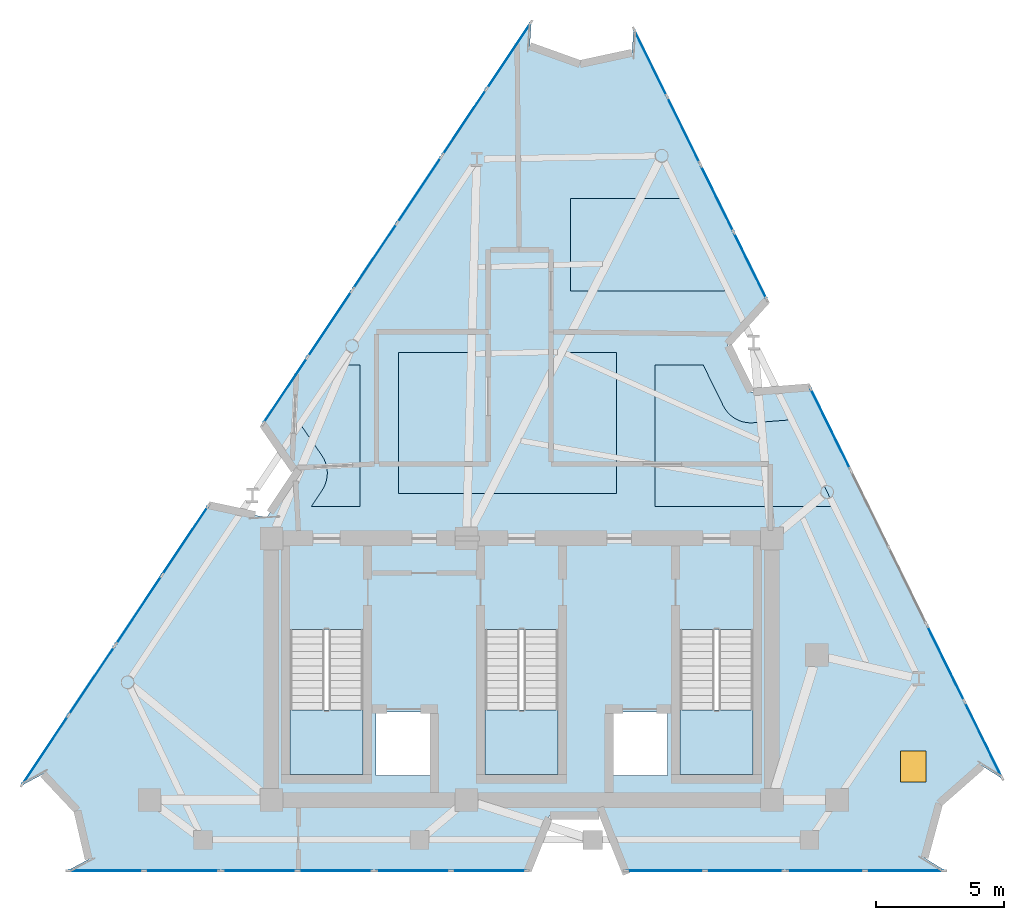
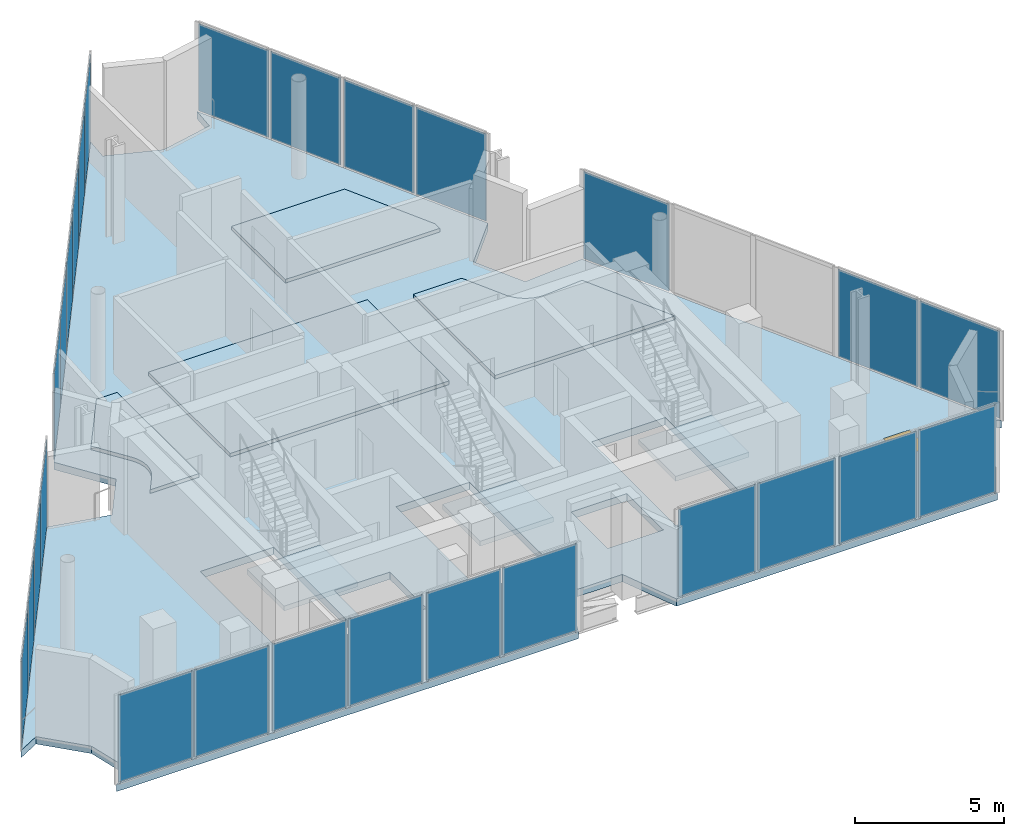
# One storey, part 5 of 9: 27 plates, 8 slabs, 1 door, 1 opening, 17 elements without a shape of their own.
"""IFC4 building model written with IfcOpenShell, lengths in metres."""

import ifcopenshell
import ifcopenshell.guid

model = None  # the IFC model being written
_history = None  # IfcOwnerHistory: only IFC2X3 demands one
_inside = {}  # id of a spatial element -> (the spatial element, [elements in it])
_under = {}  # id of a project, library or spatial element -> (it, [spatial elements below it])
_declared = {}  # id of a project -> (the project, [libraries it declares])
_typed = {}  # id of a type object -> (the type object, [elements of that type])
_made_of = {}  # id of a material, layer set ... -> (it, [elements and type objects made of it])


def new_model(schema):
    """Start an empty IFC model of exactly this schema.

    Asked for "IFC4X3", IfcOpenShell would pick the latest addendum, in which some entities
    have other attributes; the version numbers below select the first issue.
    IFC2X3 requires an IfcOwnerHistory on every rooted entity: one is made here for all.
    """
    global model, _history
    if schema == "IFC4X3":
        model = ifcopenshell.file(schema_version=(4, 3, 0, 0))
    else:
        model = ifcopenshell.file(schema=schema)
    _inside.clear()
    _under.clear()
    _declared.clear()
    _typed.clear()
    _made_of.clear()
    _history = None
    if model.schema == "IFC2X3":
        org = make("IfcOrganization", Name="unknown")
        user = make(
            "IfcPersonAndOrganization",
            ThePerson=make("IfcPerson", FamilyName="unknown"),
            TheOrganization=org,
        )
        app = make(
            "IfcApplication",
            ApplicationDeveloper=org,
            Version="unknown",
            ApplicationFullName="unknown",
            ApplicationIdentifier="unknown",
        )
        _history = make(
            "IfcOwnerHistory",
            OwningUser=user,
            OwningApplication=app,
            ChangeAction="ADDED",
            CreationDate=0,
        )
    return model


def make(cls, **values):
    """One entity of the class cls with the attributes given. An attribute that is None is left unset."""
    return model.create_entity(
        cls, **{name: value for name, value in values.items() if value is not None}
    )


def rooted(cls, **values):
    """An entity with a GlobalId (a new one), such as an element, a storey or a relation."""
    return make(cls, GlobalId=ifcopenshell.guid.new(), OwnerHistory=_history, **values)


def si_unit(unit_type, name, prefix=None):
    """IfcSIUnit, for example si_unit("LENGTHUNIT", "METRE", prefix="MILLI")."""
    return make("IfcSIUnit", UnitType=unit_type, Prefix=prefix, Name=name)


def assignment(units):
    """IfcUnitAssignment: the units of a project."""
    return None if units is None else make("IfcUnitAssignment", Units=units)


def point(xyz):
    """IfcCartesianPoint."""
    return None if xyz is None else make("IfcCartesianPoint", Coordinates=xyz)


def direction(xyz):
    """IfcDirection."""
    return None if xyz is None else make("IfcDirection", DirectionRatios=xyz)


def frame(location, z_axis=None, x_axis=None):
    """IfcAxis2Placement3D, a coordinate frame: its origin and axes. An axis left out is left unset."""
    return make(
        "IfcAxis2Placement3D",
        Location=point(location),
        Axis=direction(z_axis),
        RefDirection=direction(x_axis),
    )


def frame_2d(location, x_axis=None):
    """IfcAxis2Placement2D, a coordinate frame in the plane: its origin and x axis."""
    return make(
        "IfcAxis2Placement2D", Location=point(location), RefDirection=direction(x_axis)
    )


def origin():
    """The frame at (0, 0, 0) with its axes left unset."""
    return frame((0.0, 0.0, 0.0))


def origin_2d():
    """The frame at (0, 0) in the plane with its x axis left unset."""
    return frame_2d((0.0, 0.0))


def place(relative_to, where):
    """IfcLocalPlacement: puts the frame where relative to a parent placement (None: the world)."""
    return make(
        "IfcLocalPlacement", PlacementRelTo=relative_to, RelativePlacement=where
    )


def context(
    kind, dimensions, precision=None, world=None, true_north=None, identifier=None
):
    """IfcGeometricRepresentationContext, for example the 3D "Model" context."""
    return make(
        "IfcGeometricRepresentationContext",
        ContextIdentifier=identifier,
        ContextType=kind,
        CoordinateSpaceDimension=dimensions,
        Precision=precision,
        WorldCoordinateSystem=world,
        TrueNorth=true_north,
    )


def subcontext(parent, identifier, kind, view, scale=None):
    """IfcGeometricRepresentationSubContext, for example "Body" below "Model"."""
    return make(
        "IfcGeometricRepresentationSubContext",
        ContextIdentifier=identifier,
        ContextType=kind,
        ParentContext=parent,
        TargetScale=scale,
        TargetView=view,
    )


def project(units=None, contexts=None):
    """IfcProject with its units and contexts."""
    return rooted(
        "IfcProject",
        Name="project",
        RepresentationContexts=contexts,
        UnitsInContext=assignment(units),
    )


def spatial(cls, under=None, at=None, **own):
    """A site, building, storey or space (cls), placed at a placement, below another one or the project."""
    s = rooted(cls, ObjectPlacement=at, **own)
    if under is not None:
        _under.setdefault(under.id(), (under, []))[1].append(s)
    return s


def polyline(points):
    """IfcPolyline through the points."""
    return make("IfcPolyline", Points=[point(p) for p in points])


def profile(cls, at=None, kind="AREA", **sizes):
    """A parametric profile (cls). Its sizes go by their IFC names, for example OverallWidth=200.0."""
    return make(cls, ProfileType=kind, Position=at, **sizes)


def rectangle(**sizes):
    """IfcRectangleProfileDef."""
    return profile("IfcRectangleProfileDef", **sizes)


def outline(outer, holes=None, kind="AREA"):
    """IfcArbitraryClosedProfileDef: a profile drawn as a closed curve; with holes, ...WithVoids."""
    if holes is None:
        return make("IfcArbitraryClosedProfileDef", ProfileType=kind, OuterCurve=outer)
    return make(
        "IfcArbitraryProfileDefWithVoids",
        ProfileType=kind,
        OuterCurve=outer,
        InnerCurves=holes,
    )


def extrude(swept, where, along, depth):
    """IfcExtrudedAreaSolid: the profile swept, set in the frame where, extruded along a direction by depth."""
    return make(
        "IfcExtrudedAreaSolid",
        SweptArea=swept,
        Position=where,
        ExtrudedDirection=direction(along),
        Depth=depth,
    )


def shape(context_of_items, identifier, shape_type, items):
    """IfcShapeRepresentation: the items that make up one representation, for example the "Body"."""
    return make(
        "IfcShapeRepresentation",
        ContextOfItems=context_of_items,
        RepresentationIdentifier=identifier,
        RepresentationType=shape_type,
        Items=items,
    )


def material(Name=None, Category=None):
    """IfcMaterial."""
    return make("IfcMaterial", Name=Name, Category=Category)


def layer(
    of_material, thickness, ventilated=None, Name=None, Category=None, Priority=None
):
    """IfcMaterialLayer: one layer of a wall or slab, of a material (None: an air gap)."""
    return make(
        "IfcMaterialLayer",
        Material=of_material,
        LayerThickness=thickness,
        IsVentilated=ventilated,
        Name=Name,
        Category=Category,
        Priority=Priority,
    )


def layer_set(layers, Name=None):
    """IfcMaterialLayerSet."""
    return make("IfcMaterialLayerSet", MaterialLayers=layers, LayerSetName=Name)


def made_of(thing, what):
    """Note that an element or type object is made of a material, layer set ...; save() writes the relation."""
    if what is not None:
        _made_of.setdefault(what.id(), (what, []))[1].append(thing)
    return thing


def type_object(cls, material=None, **own):
    """A type object (cls), such as IfcWallType, which elements share."""
    return made_of(rooted(cls, **own), material)


def element(
    cls,
    number,
    at=None,
    inside=None,
    cuts=None,
    type_object=None,
    material=None,
    context=None,
    identifier="Body",
    shape_type=None,
    held_by="IfcProductDefinitionShape",
    body=None,
    shapes=None,
    **own,
):
    """One element of the class cls, such as IfcWall. Its Tag is "e" and its number.

    at: its placement. inside: the storey or other place that contains it. cuts: it is an
    opening in that element (IfcRelVoidsElement). A single representation is given by context,
    identifier, shape_type and body (its items); several are given by shapes. held_by: the class
    of the entity that holds the representations. save() writes the other relations.
    """
    e = rooted(cls, Tag="e%d" % number, ObjectPlacement=at, **own)
    if body is not None:
        shapes = [shape(context, identifier, shape_type, body)]
    if shapes is not None:
        e.Representation = make(held_by, Representations=shapes)
    if inside is not None:
        _inside.setdefault(inside.id(), (inside, []))[1].append(e)
    if cuts is not None:
        rooted(
            "IfcRelVoidsElement", RelatingBuildingElement=cuts, RelatedOpeningElement=e
        )
    if type_object is not None:
        _typed.setdefault(type_object.id(), (type_object, []))[1].append(e)
    return made_of(e, material)


def fill(opening, filler):
    """IfcRelFillsElement: the door or window that sits in an opening."""
    return rooted(
        "IfcRelFillsElement",
        RelatingOpeningElement=opening,
        RelatedBuildingElement=filler,
    )


def aggregate(whole, parts):
    """IfcRelAggregates: a whole, such as a stair, and the parts it consists of."""
    return rooted("IfcRelAggregates", RelatingObject=whole, RelatedObjects=parts)


def save(model, path):
    """Write the relations noted so far, then the file.

    IfcRelAggregates (storeys below a building ...), IfcRelContainedInSpatialStructure (elements
    in a storey), IfcRelDefinesByType, IfcRelAssociatesMaterial and IfcRelDeclares: one each for
    every whole, place, type object, material and project.
    """
    for whole, parts in _under.values():
        aggregate(whole, parts)
    for where, things in _inside.values():
        rooted(
            "IfcRelContainedInSpatialStructure",
            RelatedElements=things,
            RelatingStructure=where,
        )
    for kind, things in _typed.values():
        rooted("IfcRelDefinesByType", RelatedObjects=things, RelatingType=kind)
    for what, things in _made_of.values():
        rooted("IfcRelAssociatesMaterial", RelatedObjects=things, RelatingMaterial=what)
    for by, libraries in _declared.values():
        rooted("IfcRelDeclares", RelatingContext=by, RelatedDefinitions=libraries)
    model.write(path)


model = new_model("IFC4")

# Units and contexts
model_context = context("Model", 3, precision=1e-05, world=origin(), true_north=direction((0.0, 1.0)))
body_context = subcontext(model_context, "Body", "Model", "MODEL_VIEW")
ifc_project = project(units=[si_unit("LENGTHUNIT", "METRE"), si_unit("AREAUNIT", "SQUARE_METRE"), si_unit("VOLUMEUNIT", "CUBIC_METRE"), si_unit("PLANEANGLEUNIT", "RADIAN"), si_unit("MASSUNIT", "GRAM", prefix="KILO")], contexts=[model_context])

# Site, building, storey
site_placement = place(None, origin())
site = spatial("IfcSite", under=ifc_project, at=site_placement, CompositionType="ELEMENT")
building_placement = place(site_placement, origin())
building = spatial("IfcBuilding", under=site, at=building_placement, Name="Almagre Mirador Tower", CompositionType="ELEMENT")
storey_placement = place(building_placement, frame((0.0, 0.0, 302.5)))
storey = spatial("IfcBuildingStorey", under=building, at=storey_placement, Name="L78", CompositionType="ELEMENT", Elevation=302.5)

# Curtain wall, plates
ifc_material_1 = material(Name="Black anodized aluminium", Category="aluminium")
ifc_layer_1 = layer(ifc_material_1, 0.2099609375)
ifc_layer_set_1 = layer_set([ifc_layer_1], Name="Black anodized aluminium")
curtain_wall_type = type_object("IfcCurtainWallType", Name="CW-CRN-SYS", PredefinedType="NOTDEFINED", material=ifc_layer_set_1)
curtain_wall_1_placement = place(storey_placement, origin())
curtain_wall_1 = element("IfcCurtainWall", 1, at=curtain_wall_1_placement, inside=storey, type_object=curtain_wall_type, Name="L78 curtain wall run 01", PredefinedType="NOTDEFINED")
ifc_material_2 = material(Name="Dark solar-control laminated hurricane glass", Category="glass")
ifc_layer_2 = layer(ifc_material_2, 0.030029296875)
ifc_layer_set_2 = layer_set([ifc_layer_2], Name="Dark solar-control laminated hurricane glass")
plate_type = type_object("IfcPlateType", Name="PLT-SPN-30", PredefinedType="CURTAIN_PANEL", material=ifc_layer_set_2)
plate_1_placement = place(storey_placement, frame((18.741455078125, 6.505859375, 0.06494140625), z_axis=(0.0, 0.0, 1.0), x_axis=(0.555213664845, 0.831707752982, 0.0)))
plate_1 = element("IfcPlate", 2, at=plate_1_placement, type_object=plate_type, Name="CW-6 panel 1.1", PredefinedType="CURTAIN_PANEL", context=body_context, shape_type="SweptSolid", body=[
    extrude(rectangle(XDim=3.17529296875, YDim=0.030029296875, at=origin_2d()), origin(), (0.0, 0.0, 1.0), 3.570068359375),
])
plate_2_placement = place(storey_placement, frame((20.543212890625, 9.204833984375, 0.06494140625), z_axis=(0.0, 0.0, 1.0), x_axis=(0.555213664845, 0.831707752982, 0.0)))
plate_2 = element("IfcPlate", 3, at=plate_2_placement, type_object=plate_type, Name="CW-6 panel 2.1", PredefinedType="CURTAIN_PANEL", context=body_context, shape_type="SweptSolid", body=[
    extrude(rectangle(XDim=3.17529296875, YDim=0.030029296875, at=origin_2d()), origin(), (0.0, 0.0, 1.0), 3.570068359375),
])
aggregate(curtain_wall_1, [plate_1, plate_2])

curtain_wall_2_placement = place(storey_placement, origin())
curtain_wall_2 = element("IfcCurtainWall", 4, at=curtain_wall_2_placement, inside=storey, type_object=curtain_wall_type, Name="L78 curtain wall run 02", PredefinedType="NOTDEFINED")
plate_3_placement = place(storey_placement, frame((22.3837890625, 11.962158203125, 0.06494140625), z_axis=(0.0, 0.0, 1.0), x_axis=(0.555213664845, 0.831707752982, 0.0)))
plate_3 = element("IfcPlate", 5, at=plate_3_placement, type_object=plate_type, Name="CW-6 panel 1.1", PredefinedType="CURTAIN_PANEL", context=body_context, shape_type="SweptSolid", body=[
    extrude(rectangle(XDim=3.17529296875, YDim=0.030029296875, at=origin_2d()), origin(), (0.0, 0.0, 1.0), 3.570068359375),
])
plate_4_placement = place(storey_placement, frame((24.185546875, 14.6611328125, 0.06494140625), z_axis=(0.0, 0.0, 1.0), x_axis=(0.555213664845, 0.831707752982, 0.0)))
plate_4 = element("IfcPlate", 6, at=plate_4_placement, type_object=plate_type, Name="CW-6 panel 2.1", PredefinedType="CURTAIN_PANEL", context=body_context, shape_type="SweptSolid", body=[
    extrude(rectangle(XDim=3.17529296875, YDim=0.030029296875, at=origin_2d()), origin(), (0.0, 0.0, 1.0), 3.570068359375),
])
aggregate(curtain_wall_2, [plate_3, plate_4])

curtain_wall_3_placement = place(storey_placement, origin())
curtain_wall_3 = element("IfcCurtainWall", 7, at=curtain_wall_3_placement, inside=storey, type_object=curtain_wall_type, Name="L78 curtain wall run 03", PredefinedType="NOTDEFINED")
plate_5_placement = place(storey_placement, frame((28.09765625, 20.521728515625, 0.06494140625), z_axis=(0.0, 0.0, 1.0), x_axis=(0.55525117654, 0.831682710504, 0.0)))
plate_5 = element("IfcPlate", 8, at=plate_5_placement, type_object=plate_type, Name="CW-6 panel 1.1", PredefinedType="CURTAIN_PANEL", context=body_context, shape_type="SweptSolid", body=[
    extrude(rectangle(XDim=3.03564453125, YDim=0.030029296875, at=origin_2d()), origin(), (0.0, 0.0, 1.0), 3.570068359375),
])
plate_6_placement = place(storey_placement, frame((29.822021484375, 23.1044921875, 0.06494140625), z_axis=(0.0, 0.0, 1.0), x_axis=(0.55525117654, 0.831682710504, 0.0)))
plate_6 = element("IfcPlate", 9, at=plate_6_placement, type_object=plate_type, Name="CW-6 panel 2.1", PredefinedType="CURTAIN_PANEL", context=body_context, shape_type="SweptSolid", body=[
    extrude(rectangle(XDim=3.03564453125, YDim=0.030029296875, at=origin_2d()), origin(), (0.0, 0.0, 1.0), 3.570068359375),
])
aggregate(curtain_wall_3, [plate_5, plate_6])

curtain_wall_4_placement = place(storey_placement, origin())
curtain_wall_4 = element("IfcCurtainWall", 10, at=curtain_wall_4_placement, inside=storey, type_object=curtain_wall_type, Name="L78 curtain wall run 04", PredefinedType="NOTDEFINED")
plate_7_placement = place(storey_placement, frame((31.585205078125, 25.74560546875, 0.06494140625), z_axis=(0.0, 0.0, 1.0), x_axis=(0.5552585287, 0.83167780198, 0.0)))
plate_7 = element("IfcPlate", 11, at=plate_7_placement, type_object=plate_type, Name="CW-6 panel 1.1", PredefinedType="CURTAIN_PANEL", context=body_context, shape_type="SweptSolid", body=[
    extrude(rectangle(XDim=3.035400390625, YDim=0.030029296875, at=origin_2d()), origin(), (0.0, 0.0, 1.0), 3.570068359375),
])
plate_8_placement = place(storey_placement, frame((33.3095703125, 28.328369140625, 0.06494140625), z_axis=(0.0, 0.0, 1.0), x_axis=(0.5552585287, 0.83167780198, 0.0)))
plate_8 = element("IfcPlate", 12, at=plate_8_placement, type_object=plate_type, Name="CW-6 panel 2.1", PredefinedType="CURTAIN_PANEL", context=body_context, shape_type="SweptSolid", body=[
    extrude(rectangle(XDim=3.035400390625, YDim=0.030029296875, at=origin_2d()), origin(), (0.0, 0.0, 1.0), 3.570068359375),
])
aggregate(curtain_wall_4, [plate_7, plate_8])

curtain_wall_5_placement = place(storey_placement, origin())
curtain_wall_5 = element("IfcCurtainWall", 13, at=curtain_wall_5_placement, inside=storey, type_object=curtain_wall_type, Name="L78 curtain wall run 05", PredefinedType="NOTDEFINED")
plate_9_placement = place(storey_placement, frame((35.072998046875, 30.969482421875, 0.06494140625), z_axis=(0.0, 0.0, 1.0), x_axis=(0.55525117654, 0.831682710504, 0.0)))
plate_9 = element("IfcPlate", 14, at=plate_9_placement, type_object=plate_type, Name="CW-6 panel 1.1", PredefinedType="CURTAIN_PANEL", context=body_context, shape_type="SweptSolid", body=[
    extrude(rectangle(XDim=3.03564453125, YDim=0.030029296875, at=origin_2d()), origin(), (0.0, 0.0, 1.0), 3.570068359375),
])
plate_10_placement = place(storey_placement, frame((36.79736328125, 33.55224609375, 0.06494140625), z_axis=(0.0, 0.0, 1.0), x_axis=(0.55525117654, 0.831682710504, 0.0)))
plate_10 = element("IfcPlate", 15, at=plate_10_placement, type_object=plate_type, Name="CW-6 panel 2.1", PredefinedType="CURTAIN_PANEL", context=body_context, shape_type="SweptSolid", body=[
    extrude(rectangle(XDim=3.03564453125, YDim=0.030029296875, at=origin_2d()), origin(), (0.0, 0.0, 1.0), 3.570068359375),
])
aggregate(curtain_wall_5, [plate_9, plate_10])

curtain_wall_6_placement = place(storey_placement, origin())
curtain_wall_6 = element("IfcCurtainWall", 16, at=curtain_wall_6_placement, inside=storey, type_object=curtain_wall_type, Name="L78 curtain wall run 06", PredefinedType="NOTDEFINED")
plate_11_placement = place(storey_placement, frame((42.322509765625, 33.274169921875, 0.06494140625), z_axis=(0.0, 0.0, 1.0), x_axis=(0.441293649286, -0.897362755579, 0.0)))
plate_11 = element("IfcPlate", 17, at=plate_11_placement, type_object=plate_type, Name="CW-6 panel 1.1", PredefinedType="CURTAIN_PANEL", context=body_context, shape_type="SweptSolid", body=[
    extrude(rectangle(XDim=2.839111328125, YDim=0.030029296875, at=origin_2d()), origin(), (0.0, 0.0, 1.0), 3.570068359375),
])
plate_12_placement = place(storey_placement, frame((43.606201171875, 30.66357421875, 0.06494140625), z_axis=(0.0, 0.0, 1.0), x_axis=(0.441293649286, -0.897362755579, 0.0)))
plate_12 = element("IfcPlate", 18, at=plate_12_placement, type_object=plate_type, Name="CW-6 panel 2.1", PredefinedType="CURTAIN_PANEL", context=body_context, shape_type="SweptSolid", body=[
    extrude(rectangle(XDim=2.839111328125, YDim=0.030029296875, at=origin_2d()), origin(), (0.0, 0.0, 1.0), 3.570068359375),
])
aggregate(curtain_wall_6, [plate_11, plate_12])

curtain_wall_7_placement = place(storey_placement, origin())
curtain_wall_7 = element("IfcCurtainWall", 19, at=curtain_wall_7_placement, inside=storey, type_object=curtain_wall_type, Name="L78 curtain wall run 07", PredefinedType="NOTDEFINED")
plate_13_placement = place(storey_placement, frame((44.9208984375, 27.990234375, 0.06494140625), z_axis=(0.0, 0.0, 1.0), x_axis=(0.441293649286, -0.897362755579, 0.0)))
plate_13 = element("IfcPlate", 20, at=plate_13_placement, type_object=plate_type, Name="CW-6 panel 1.1", PredefinedType="CURTAIN_PANEL", context=body_context, shape_type="SweptSolid", body=[
    extrude(rectangle(XDim=2.839111328125, YDim=0.030029296875, at=origin_2d()), origin(), (0.0, 0.0, 1.0), 3.570068359375),
])
plate_14_placement = place(storey_placement, frame((46.20458984375, 25.3798828125, 0.06494140625), z_axis=(0.0, 0.0, 1.0), x_axis=(0.441293649286, -0.897362755579, 0.0)))
plate_14 = element("IfcPlate", 21, at=plate_14_placement, type_object=plate_type, Name="CW-6 panel 2.1", PredefinedType="CURTAIN_PANEL", context=body_context, shape_type="SweptSolid", body=[
    extrude(rectangle(XDim=2.839111328125, YDim=0.030029296875, at=origin_2d()), origin(), (0.0, 0.0, 1.0), 3.570068359375),
])
aggregate(curtain_wall_7, [plate_13, plate_14])

# Curtain wall, plate
curtain_wall_8_placement = place(storey_placement, origin())
curtain_wall_8 = element("IfcCurtainWall", 22, at=curtain_wall_8_placement, inside=storey, type_object=curtain_wall_type, Name="L78 curtain wall run 08", PredefinedType="NOTDEFINED")
plate_15_placement = place(storey_placement, frame((49.333984375, 19.016357421875, 0.06494140625), z_axis=(0.0, 0.0, 1.0), x_axis=(0.441274584384, -0.897372130823, 0.0)))
plate_15 = element("IfcPlate", 23, at=plate_15_placement, type_object=plate_type, Name="CW-6 panel 1.1", PredefinedType="CURTAIN_PANEL", context=body_context, shape_type="SweptSolid", body=[
    extrude(rectangle(XDim=3.46240234375, YDim=0.030029296875, at=origin_2d()), origin(), (0.0, 0.0, 1.0), 3.570068359375),
])
aggregate(curtain_wall_8, [plate_15])

# Curtain wall, plates
curtain_wall_9_placement = place(storey_placement, origin())
curtain_wall_9 = element("IfcCurtainWall", 24, at=curtain_wall_9_placement, inside=storey, type_object=curtain_wall_type, Name="L78 curtain wall run 10", PredefinedType="NOTDEFINED")
plate_16_placement = place(storey_placement, frame((53.827880859375, 9.87744140625, 0.06494140625), z_axis=(0.0, 0.0, 1.0), x_axis=(0.44127448388, -0.897372180244, 0.0)))
plate_16 = element("IfcPlate", 25, at=plate_16_placement, type_object=plate_type, Name="CW-6 panel 1.1", PredefinedType="CURTAIN_PANEL", context=body_context, shape_type="SweptSolid", body=[
    extrude(rectangle(XDim=3.2412109375, YDim=0.030029296875, at=origin_2d()), origin(), (0.0, 0.0, 1.0), 3.570068359375),
])
plate_17_placement = place(storey_placement, frame((55.288818359375, 6.90625, 0.06494140625), z_axis=(0.0, 0.0, 1.0), x_axis=(0.44127448388, -0.897372180244, 0.0)))
plate_17 = element("IfcPlate", 26, at=plate_17_placement, type_object=plate_type, Name="CW-6 panel 2.1", PredefinedType="CURTAIN_PANEL", context=body_context, shape_type="SweptSolid", body=[
    extrude(rectangle(XDim=3.2412109375, YDim=0.030029296875, at=origin_2d()), origin(), (0.0, 0.0, 1.0), 3.570068359375),
])
aggregate(curtain_wall_9, [plate_16, plate_17])

curtain_wall_10_placement = place(storey_placement, origin())
curtain_wall_10 = element("IfcCurtainWall", 27, at=curtain_wall_10_placement, inside=storey, type_object=curtain_wall_type, Name="L78 curtain wall run 11", PredefinedType="NOTDEFINED")
plate_18_placement = place(storey_placement, frame((52.224365234375, 1.800048828125, 0.06494140625), z_axis=(0.0, 0.0, 1.0), x_axis=(-1.0, 0.0, 0.0)))
plate_18 = element("IfcPlate", 28, at=plate_18_placement, type_object=plate_type, Name="CW-6 panel 1.1", PredefinedType="CURTAIN_PANEL", context=body_context, shape_type="SweptSolid", body=[
    extrude(rectangle(XDim=3.010986328125, YDim=0.030029296875, at=origin_2d()), origin(), (0.0, 0.0, 1.0), 3.570068359375),
])
plate_19_placement = place(storey_placement, frame((49.1435546875, 1.800048828125, 0.06494140625), z_axis=(0.0, 0.0, 1.0), x_axis=(-1.0, 0.0, 0.0)))
plate_19 = element("IfcPlate", 29, at=plate_19_placement, type_object=plate_type, Name="CW-6 panel 2.1", PredefinedType="CURTAIN_PANEL", context=body_context, shape_type="SweptSolid", body=[
    extrude(rectangle(XDim=3.010986328125, YDim=0.030029296875, at=origin_2d()), origin(), (0.0, 0.0, 1.0), 3.570068359375),
])
aggregate(curtain_wall_10, [plate_18, plate_19])

curtain_wall_11_placement = place(storey_placement, origin())
curtain_wall_11 = element("IfcCurtainWall", 30, at=curtain_wall_11_placement, inside=storey, type_object=curtain_wall_type, Name="L78 curtain wall run 12", PredefinedType="NOTDEFINED")
plate_20_placement = place(storey_placement, frame((45.992431640625, 1.800048828125, 0.06494140625), z_axis=(0.0, 0.0, 1.0), x_axis=(-1.0, 0.0, 0.0)))
plate_20 = element("IfcPlate", 31, at=plate_20_placement, type_object=plate_type, Name="CW-6 panel 1.1", PredefinedType="CURTAIN_PANEL", context=body_context, shape_type="SweptSolid", body=[
    extrude(rectangle(XDim=3.010986328125, YDim=0.030029296875, at=origin_2d()), origin(), (0.0, 0.0, 1.0), 3.570068359375),
])
plate_21_placement = place(storey_placement, frame((42.91162109375, 1.800048828125, 0.06494140625), z_axis=(0.0, 0.0, 1.0), x_axis=(-1.0, 0.0, 0.0)))
plate_21 = element("IfcPlate", 32, at=plate_21_placement, type_object=plate_type, Name="CW-6 panel 2.1", PredefinedType="CURTAIN_PANEL", context=body_context, shape_type="SweptSolid", body=[
    extrude(rectangle(XDim=3.010986328125, YDim=0.030029296875, at=origin_2d()), origin(), (0.0, 0.0, 1.0), 3.570068359375),
])
aggregate(curtain_wall_11, [plate_20, plate_21])

curtain_wall_12_placement = place(storey_placement, origin())
curtain_wall_12 = element("IfcCurtainWall", 33, at=curtain_wall_12_placement, inside=storey, type_object=curtain_wall_type, Name="L78 curtain wall run 13", PredefinedType="NOTDEFINED")
plate_22_placement = place(storey_placement, frame((36.023681640625, 1.800048828125, 0.06494140625), z_axis=(0.0, 0.0, 1.0), x_axis=(-1.0, 0.0, 0.0)))
plate_22 = element("IfcPlate", 34, at=plate_22_placement, type_object=plate_type, Name="CW-6 panel 1.1", PredefinedType="CURTAIN_PANEL", context=body_context, shape_type="SweptSolid", body=[
    extrude(rectangle(XDim=2.88427734375, YDim=0.030029296875, at=origin_2d()), origin(), (0.0, 0.0, 1.0), 3.570068359375),
])
plate_23_placement = place(storey_placement, frame((33.0693359375, 1.800048828125, 0.06494140625), z_axis=(0.0, 0.0, 1.0), x_axis=(-1.0, 0.0, 0.0)))
plate_23 = element("IfcPlate", 35, at=plate_23_placement, type_object=plate_type, Name="CW-6 panel 2.1", PredefinedType="CURTAIN_PANEL", context=body_context, shape_type="SweptSolid", body=[
    extrude(rectangle(XDim=2.88427734375, YDim=0.030029296875, at=origin_2d()), origin(), (0.0, 0.0, 1.0), 3.570068359375),
])
aggregate(curtain_wall_12, [plate_22, plate_23])

curtain_wall_13_placement = place(storey_placement, origin())
curtain_wall_13 = element("IfcCurtainWall", 36, at=curtain_wall_13_placement, inside=storey, type_object=curtain_wall_type, Name="L78 curtain wall run 14", PredefinedType="NOTDEFINED")
plate_24_placement = place(storey_placement, frame((30.045166015625, 1.800048828125, 0.06494140625), z_axis=(0.0, 0.0, 1.0), x_axis=(-1.0, 0.0, 0.0)))
plate_24 = element("IfcPlate", 37, at=plate_24_placement, type_object=plate_type, Name="CW-6 panel 1.1", PredefinedType="CURTAIN_PANEL", context=body_context, shape_type="SweptSolid", body=[
    extrude(rectangle(XDim=2.88427734375, YDim=0.030029296875, at=origin_2d()), origin(), (0.0, 0.0, 1.0), 3.570068359375),
])
plate_25_placement = place(storey_placement, frame((27.0908203125, 1.800048828125, 0.06494140625), z_axis=(0.0, 0.0, 1.0), x_axis=(-1.0, 0.0, 0.0)))
plate_25 = element("IfcPlate", 38, at=plate_25_placement, type_object=plate_type, Name="CW-6 panel 2.1", PredefinedType="CURTAIN_PANEL", context=body_context, shape_type="SweptSolid", body=[
    extrude(rectangle(XDim=2.88427734375, YDim=0.030029296875, at=origin_2d()), origin(), (0.0, 0.0, 1.0), 3.570068359375),
])
aggregate(curtain_wall_13, [plate_24, plate_25])

curtain_wall_14_placement = place(storey_placement, origin())
curtain_wall_14 = element("IfcCurtainWall", 39, at=curtain_wall_14_placement, inside=storey, type_object=curtain_wall_type, Name="L78 curtain wall run 15", PredefinedType="NOTDEFINED")
plate_26_placement = place(storey_placement, frame((24.066650390625, 1.800048828125, 0.06494140625), z_axis=(0.0, 0.0, 1.0), x_axis=(-1.0, 0.0, 0.0)))
plate_26 = element("IfcPlate", 40, at=plate_26_placement, type_object=plate_type, Name="CW-6 panel 1.1", PredefinedType="CURTAIN_PANEL", context=body_context, shape_type="SweptSolid", body=[
    extrude(rectangle(XDim=2.88427734375, YDim=0.030029296875, at=origin_2d()), origin(), (0.0, 0.0, 1.0), 3.570068359375),
])
plate_27_placement = place(storey_placement, frame((21.1123046875, 1.800048828125, 0.06494140625), z_axis=(0.0, 0.0, 1.0), x_axis=(-1.0, 0.0, 0.0)))
plate_27 = element("IfcPlate", 41, at=plate_27_placement, type_object=plate_type, Name="CW-6 panel 2.1", PredefinedType="CURTAIN_PANEL", context=body_context, shape_type="SweptSolid", body=[
    extrude(rectangle(XDim=2.88427734375, YDim=0.030029296875, at=origin_2d()), origin(), (0.0, 0.0, 1.0), 3.570068359375),
])
aggregate(curtain_wall_14, [plate_26, plate_27])

# Slab, opening, door
ifc_material_3 = material(Name="Concrete C45/55", Category="concrete")
ifc_layer_3 = layer(ifc_material_3, 0.300048828125)
ifc_layer_set_3 = layer_set([ifc_layer_3], Name="Concrete C45/55")
slab_type_1 = type_object("IfcSlabType", Name="SLB-FLR-300", PredefinedType="FLOOR", material=ifc_layer_set_3)
slab_1_placement = place(storey_placement, frame((0.0, 0.0, -0.300048828125)))
slab_1 = element("IfcSlab", 42, at=slab_1_placement, inside=storey, type_object=slab_type_1, Name="L78 structural floor slab", PredefinedType="FLOOR", context=body_context, shape_type="SweptSolid", body=[
    extrude(outline(polyline([(17.8212890625, 5.127197265625), (18.647216796875, 5.568359375), (18.648193359375, 5.56884765625), (18.649169921875, 5.569091796875), (18.650146484375, 5.5693359375), (18.651123046875, 5.569580078125), (18.652099609375, 5.569580078125), (18.653076171875, 5.569580078125), (18.654052734375, 5.5693359375), (18.655029296875, 5.569091796875), (18.656005859375, 5.568603515625), (18.656982421875, 5.568359375), (18.65771484375, 5.567626953125), (18.658447265625, 5.567138671875), (18.6591796875, 5.56640625), (19.9892578125, 4.14990234375), (19.98974609375, 4.149169921875), (19.990478515625, 4.148193359375), (19.990966796875, 4.1474609375), (19.9912109375, 4.146484375), (19.99169921875, 4.1455078125), (20.431396484375, 2.25341796875), (20.431396484375, 2.25244140625), (20.431396484375, 2.25146484375), (20.431396484375, 2.25048828125), (20.431396484375, 2.24951171875), (20.43115234375, 2.24853515625), (20.430908203125, 2.24755859375), (20.430419921875, 2.24658203125), (20.429931640625, 2.245849609375), (20.42919921875, 2.244873046875), (20.4287109375, 2.244140625), (20.427978515625, 2.243408203125), (20.427001953125, 2.242919921875), (20.42626953125, 2.242431640625), (19.60009765625, 1.800048828125), (19.60009765625, 1.800048828125), (19.60009765625, 1.800048828125), (37.535888671875, 1.800048828125), (37.535888671875, 1.800048828125), (37.5361328125, 1.80029296875), (38.388427734375, 3.943603515625), (38.388916015625, 3.944580078125), (38.389404296875, 3.945556640625), (38.389892578125, 3.9462890625), (38.390625, 3.947021484375), (38.391357421875, 3.94775390625), (38.39208984375, 3.9482421875), (38.39306640625, 3.94873046875), (38.393798828125, 3.94921875), (38.394775390625, 3.94970703125), (38.395751953125, 3.94970703125), (38.396728515625, 3.949951171875), (38.397705078125, 3.949951171875), (40.47412109375, 3.949951171875), (40.47509765625, 3.949951171875), (40.476318359375, 3.94970703125), (40.477294921875, 3.94970703125), (40.47802734375, 3.94921875), (40.47900390625, 3.94873046875), (40.479736328125, 3.9482421875), (40.480712890625, 3.94775390625), (40.4814453125, 3.947021484375), (40.48193359375, 3.9462890625), (40.482666015625, 3.945556640625), (40.483154296875, 3.944580078125), (40.4833984375, 3.943603515625), (41.3359375, 1.80029296875), (41.3359375, 1.800048828125), (41.336181640625, 1.800048828125), (53.7998046875, 1.800048828125), (53.800048828125, 1.800048828125), (53.7998046875, 1.800048828125), (53.00439453125, 2.295166015625), (53.00341796875, 2.295654296875), (53.002685546875, 2.29638671875), (53.002197265625, 2.297119140625), (53.00146484375, 2.297607421875), (53.0009765625, 2.298583984375), (53.00048828125, 2.29931640625), (53.0, 2.30029296875), (52.999755859375, 2.30126953125), (52.999755859375, 2.30224609375), (52.99951171875, 2.30322265625), (52.99951171875, 2.30419921875), (52.999755859375, 2.30517578125), (53.0, 2.30615234375), (53.5712890625, 4.42919921875), (53.571533203125, 4.429931640625), (53.572021484375, 4.430908203125), (53.572509765625, 4.431884765625), (53.572998046875, 4.4326171875), (53.573486328125, 4.433349609375), (53.57421875, 4.43408203125), (55.227294921875, 5.884033203125), (55.228271484375, 5.884765625), (55.22900390625, 5.88525390625), (55.22998046875, 5.8857421875), (55.230712890625, 5.885986328125), (55.231689453125, 5.88623046875), (55.232666015625, 5.886474609375), (55.233642578125, 5.88671875), (55.234619140625, 5.88671875), (55.235595703125, 5.886474609375), (55.236572265625, 5.88623046875), (55.237548828125, 5.885986328125), (55.23828125, 5.885498046875), (55.2392578125, 5.885009765625), (56.034912109375, 5.38916015625), (56.034912109375, 5.388916015625), (56.034912109375, 5.38916015625), (50.12890625, 17.39990234375), (48.5390625, 20.6328125), (48.5390625, 20.633056640625), (48.538818359375, 20.633056640625), (46.23876953125, 20.451416015625), (46.23779296875, 20.451416015625), (46.23681640625, 20.45166015625), (46.23583984375, 20.45166015625), (46.23486328125, 20.451904296875), (46.23388671875, 20.452392578125), (46.23291015625, 20.452880859375), (46.232177734375, 20.453369140625), (46.2314453125, 20.4541015625), (46.230712890625, 20.45458984375), (46.22998046875, 20.455322265625), (46.2294921875, 20.456298828125), (46.22900390625, 20.45703125), (45.31298828125, 22.32080078125), (45.3125, 22.32177734375), (45.312255859375, 22.32275390625), (45.31201171875, 22.32373046875), (45.31201171875, 22.32470703125), (45.31201171875, 22.32568359375), (45.31201171875, 22.32666015625), (45.312255859375, 22.32763671875), (45.3125, 22.32861328125), (45.31298828125, 22.32958984375), (45.3134765625, 22.330322265625), (45.31396484375, 22.331298828125), (45.314697265625, 22.33203125), (46.86181640625, 24.042724609375), (46.862060546875, 24.04296875), (46.86181640625, 24.043212890625), (41.6650390625, 34.61083984375), (41.6650390625, 34.611083984375), (41.6650390625, 34.61083984375), (41.603515625, 33.675537109375), (41.603515625, 33.674560546875), (41.603271484375, 33.673583984375), (41.602783203125, 33.672607421875), (41.6025390625, 33.671630859375), (41.60205078125, 33.6708984375), (41.601318359375, 33.669921875), (41.600830078125, 33.669189453125), (41.60009765625, 33.668701171875), (41.59912109375, 33.66796875), (41.598388671875, 33.66748046875), (41.597412109375, 33.6669921875), (41.5966796875, 33.666748046875), (41.595703125, 33.66650390625), (39.57568359375, 33.231689453125), (39.574951171875, 33.2314453125), (39.573974609375, 33.2314453125), (39.572998046875, 33.2314453125), (39.572021484375, 33.2314453125), (39.5712890625, 33.231689453125), (39.5703125, 33.23193359375), (37.6240234375, 33.927490234375), (37.623291015625, 33.927734375), (37.622314453125, 33.92822265625), (37.62158203125, 33.928955078125), (37.62060546875, 33.929443359375), (37.6201171875, 33.93017578125), (37.619384765625, 33.930908203125), (37.618896484375, 33.931884765625), (37.618408203125, 33.9326171875), (37.617919921875, 33.93359375), (37.61767578125, 33.9345703125), (37.61767578125, 33.935546875), (37.617431640625, 33.9365234375), (37.617431640625, 33.9375), (37.678955078125, 34.872802734375), (37.678955078125, 34.873046875), (37.678955078125, 34.872802734375), (27.216064453125, 19.201171875), (27.216064453125, 19.200927734375), (27.216064453125, 19.20068359375), (28.458251953125, 17.39990234375), (28.526123046875, 17.301513671875), (28.526611328125, 17.30078125), (28.527099609375, 17.2998046875), (28.527587890625, 17.298828125), (28.527587890625, 17.298095703125), (28.52783203125, 17.297119140625), (28.52783203125, 17.2958984375), (28.52783203125, 17.294921875), (28.527587890625, 17.2939453125), (28.527587890625, 17.29296875), (28.527099609375, 17.2919921875), (28.526611328125, 17.291259765625), (28.526123046875, 17.290283203125), (27.372802734375, 15.5625), (27.372314453125, 15.561767578125), (27.37158203125, 15.56103515625), (27.370849609375, 15.560302734375), (27.3701171875, 15.559814453125), (27.369140625, 15.559326171875), (27.3681640625, 15.558837890625), (27.3671875, 15.55859375), (27.3662109375, 15.558349609375), (27.365234375, 15.55810546875), (27.3642578125, 15.55810546875), (27.36328125, 15.558349609375), (27.3623046875, 15.558349609375), (25.106201171875, 16.039794921875), (25.10595703125, 16.0400390625), (25.10595703125, 16.039794921875), (17.821044921875, 5.127197265625), (17.821044921875, 5.126953125), (17.8212890625, 5.127197265625)]), holes=[polyline([(43.47509765625, 5.550048828125), (43.47509765625, 11.196044921875), (46.324951171875, 11.196044921875), (46.324951171875, 5.550048828125), (43.47509765625, 5.550048828125)]), polyline([(42.97998046875, 7.97998046875), (42.97998046875, 5.52001953125), (40.820068359375, 5.52001953125), (40.820068359375, 7.97998046875), (42.97998046875, 7.97998046875)]), polyline([(35.875, 5.550048828125), (35.875, 11.196044921875), (38.72509765625, 11.196044921875), (38.72509765625, 5.550048828125), (35.875, 5.550048828125)]), polyline([(33.780029296875, 7.97998046875), (33.780029296875, 5.52001953125), (31.6201171875, 5.52001953125), (31.6201171875, 7.97998046875), (33.780029296875, 7.97998046875)]), polyline([(31.125, 5.550048828125), (28.27490234375, 5.550048828125), (28.27490234375, 11.196044921875), (31.125, 11.196044921875), (31.125, 5.550048828125)])]), origin(), (0.0, 0.0, 1.0), 0.300048828125),
])
opening_placement = place(slab_1_placement, frame((52.56103515625, 5.85595703125, 0.0)))
opening = element("IfcOpeningElement", 43, at=opening_placement, cuts=slab_1, Name="Opening RH-01", PredefinedType="OPENING", context=body_context, shape_type="SweptSolid", body=[
    extrude(rectangle(XDim=1.0, YDim=1.199951171875, at=origin_2d()), origin(), (0.0, 0.0, 1.0), 0.300048828125),
])
ifc_material_4 = material(Name="Insulated aluminium roof hatch", Category="aluminium")
door_type = type_object("IfcDoorType", Name="DOR-HAT-1000X1200", OperationType="SINGLE_SWING_LEFT", PredefinedType="TRAPDOOR", material=ifc_material_4)
door_placement = place(opening_placement, frame((0.0, 0.0, 0.25)))
door = element("IfcDoor", 44, at=door_placement, inside=storey, type_object=door_type, Name="DR-2315 L78 mechanical access hatch RH-02", OperationType="SINGLE_SWING_LEFT", OverallHeight=1.199951171875, OverallWidth=1.0, PredefinedType="TRAPDOOR", context=body_context, shape_type="SweptSolid", body=[
    extrude(rectangle(XDim=1.0, YDim=1.199951171875, at=origin_2d()), origin(), (0.0, 0.0, 1.0), 0.050048828125),
])
fill(opening, door)

# Stair, slab
ifc_material_5 = material(Name="Concrete C45/55", Category="concrete")
stair_type = type_object("IfcStairType", Name="STR-DL-4000", PredefinedType="HALF_TURN_STAIR", material=ifc_material_5)
stair_1_placement = place(storey_placement, origin())
stair_1 = element("IfcStair", 45, at=stair_1_placement, inside=storey, type_object=stair_type, Name="L78 Protected exit stair ST-1", PredefinedType="HALF_TURN_STAIR")
ifc_material_6 = material(Name="Concrete C45/55", Category="concrete")
ifc_layer_4 = layer(ifc_material_6, 0.199951171875)
ifc_layer_set_4 = layer_set([ifc_layer_4], Name="Concrete C45/55")
slab_type_2 = type_object("IfcSlabType", Name="SLB-LND-200", PredefinedType="LANDING", material=ifc_layer_set_4)
slab_2_placement = place(storey_placement, frame((0.0, 0.0, 1.800048828125)))
slab_2 = element("IfcSlab", 46, at=slab_2_placement, type_object=slab_type_2, Name="ST-1 landing 1", PredefinedType="LANDING", context=body_context, shape_type="SweptSolid", body=[
    extrude(outline(polyline([(28.27490234375, 8.06494140625), (28.27490234375, 5.550048828125), (31.125, 5.550048828125), (31.125, 8.06494140625), (28.27490234375, 8.06494140625)])), origin(), (0.0, 0.0, 1.0), 0.199951171875),
])
aggregate(stair_1, [slab_2])

stair_2_placement = place(storey_placement, origin())
stair_2 = element("IfcStair", 47, at=stair_2_placement, inside=storey, type_object=stair_type, Name="L78 Protected exit stair ST-2", PredefinedType="HALF_TURN_STAIR")
slab_3_placement = place(storey_placement, frame((0.0, 0.0, 1.800048828125)))
slab_3 = element("IfcSlab", 48, at=slab_3_placement, type_object=slab_type_2, Name="ST-2 landing 1", PredefinedType="LANDING", context=body_context, shape_type="SweptSolid", body=[
    extrude(outline(polyline([(35.875, 8.06494140625), (35.875, 5.550048828125), (38.72509765625, 5.550048828125), (38.72509765625, 8.06494140625), (35.875, 8.06494140625)])), origin(), (0.0, 0.0, 1.0), 0.199951171875),
])
aggregate(stair_2, [slab_3])

stair_3_placement = place(storey_placement, origin())
stair_3 = element("IfcStair", 49, at=stair_3_placement, inside=storey, type_object=stair_type, Name="L78 Protected exit stair ST-3", PredefinedType="HALF_TURN_STAIR")
slab_4_placement = place(storey_placement, frame((0.0, 0.0, 1.800048828125)))
slab_4 = element("IfcSlab", 50, at=slab_4_placement, type_object=slab_type_2, Name="ST-3 landing 1", PredefinedType="LANDING", context=body_context, shape_type="SweptSolid", body=[
    extrude(outline(polyline([(43.47509765625, 8.06494140625), (43.47509765625, 5.550048828125), (46.324951171875, 5.550048828125), (46.324951171875, 8.06494140625), (43.47509765625, 8.06494140625)])), origin(), (0.0, 0.0, 1.0), 0.199951171875),
])
aggregate(stair_3, [slab_4])

# Slabs
ifc_material_7 = material(Name="Concrete C45/55", Category="concrete")
ifc_layer_5 = layer(ifc_material_7, 0.14990234375)
ifc_layer_set_5 = layer_set([ifc_layer_5], Name="Concrete C45/55")
slab_type_3 = type_object("IfcSlabType", Name="SLB-PLN-150", PredefinedType="FLOOR", material=ifc_layer_set_5)
slab_5_placement = place(storey_placement, origin())
element("IfcSlab", 51, at=slab_5_placement, inside=storey, type_object=slab_type_3, Name="L78 Chiller Plant Plinth", PredefinedType="FLOOR", context=body_context, shape_type="SweptSolid", body=[
    extrude(outline(polyline([(30.194091796875, 21.5), (28.666259765625, 19.2119140625), (29.446044921875, 18.081298828125), (29.513916015625, 17.98291015625), (29.546630859375, 17.93310546875), (29.547119140625, 17.93212890625), (29.604736328125, 17.827880859375), (29.60498046875, 17.826904296875), (29.652099609375, 17.71728515625), (29.652587890625, 17.716552734375), (29.688232421875, 17.602783203125), (29.688720703125, 17.601806640625), (29.712890625, 17.485107421875), (29.713134765625, 17.484130859375), (29.725830078125, 17.36572265625), (29.725830078125, 17.36474609375), (29.726806640625, 17.24560546875), (29.726806640625, 17.244384765625), (29.7158203125, 17.125732421875), (29.7158203125, 17.124755859375), (29.693115234375, 17.0078125), (29.69287109375, 17.0068359375), (29.65869140625, 16.892578125), (29.658447265625, 16.8916015625), (29.613037109375, 16.781494140625), (29.612548828125, 16.780517578125), (29.556640625, 16.67529296875), (29.55615234375, 16.67431640625), (29.5244140625, 16.6240234375), (29.107666015625, 16.0), (31.0, 16.0), (31.0, 21.5), (30.194091796875, 21.5)])), origin(), (0.0, 0.0, 1.0), 0.14990234375),
])
slab_6_placement = place(storey_placement, origin())
element("IfcSlab", 52, at=slab_6_placement, inside=storey, type_object=slab_type_3, Name="L78 Cooling Tower Plant Plinth", PredefinedType="FLOOR", context=body_context, shape_type="SweptSolid", body=[
    extrude(outline(polyline([(49.47998046875, 16.0), (49.052001953125, 16.870361328125), (47.8212890625, 19.372802734375), (46.3330078125, 19.25537109375), (46.273681640625, 19.251953125), (46.272705078125, 19.251953125), (46.1533203125, 19.25439453125), (46.15234375, 19.25439453125), (46.0341796875, 19.268798828125), (46.033203125, 19.26904296875), (45.916748046875, 19.294921875), (45.915771484375, 19.295166015625), (45.802490234375, 19.33251953125), (45.801513671875, 19.3330078125), (45.692626953125, 19.38134765625), (45.69189453125, 19.3818359375), (45.588134765625, 19.44091796875), (45.58740234375, 19.44140625), (45.489990234375, 19.51025390625), (45.4892578125, 19.510986328125), (45.3994140625, 19.589111328125), (45.398681640625, 19.58984375), (45.31689453125, 19.6767578125), (45.31640625, 19.677490234375), (45.24365234375, 19.77197265625), (45.2431640625, 19.772705078125), (45.18017578125, 19.8740234375), (45.1796875, 19.875), (45.152099609375, 19.927734375), (44.37939453125, 21.5), (42.5, 21.5), (42.5, 16.0), (49.47998046875, 16.0)])), origin(), (0.0, 0.0, 1.0), 0.14990234375),
])
slab_7_placement = place(storey_placement, origin())
element("IfcSlab", 53, at=slab_7_placement, inside=storey, type_object=slab_type_3, Name="L78 Air Handling Unit Plant Plinth", PredefinedType="FLOOR", context=body_context, shape_type="SweptSolid", body=[
    extrude(outline(polyline([(32.5, 16.5), (41.0, 16.5), (41.0, 22.0), (32.5, 22.0), (32.5, 16.5)])), origin(), (0.0, 0.0, 1.0), 0.14990234375),
])
slab_8_placement = place(storey_placement, origin())
element("IfcSlab", 54, at=slab_8_placement, inside=storey, type_object=slab_type_3, Name="L78 Domestic Booster Pump Plant Plinth", PredefinedType="FLOOR", context=body_context, shape_type="SweptSolid", body=[
    extrude(outline(polyline([(45.199951171875, 24.703369140625), (43.578857421875, 28.0), (39.199951171875, 28.0), (39.199951171875, 24.39990234375), (45.199951171875, 24.39990234375), (45.199951171875, 24.703369140625)])), origin(), (0.0, 0.0, 1.0), 0.14990234375),
])

save(model, "model.ifc")
